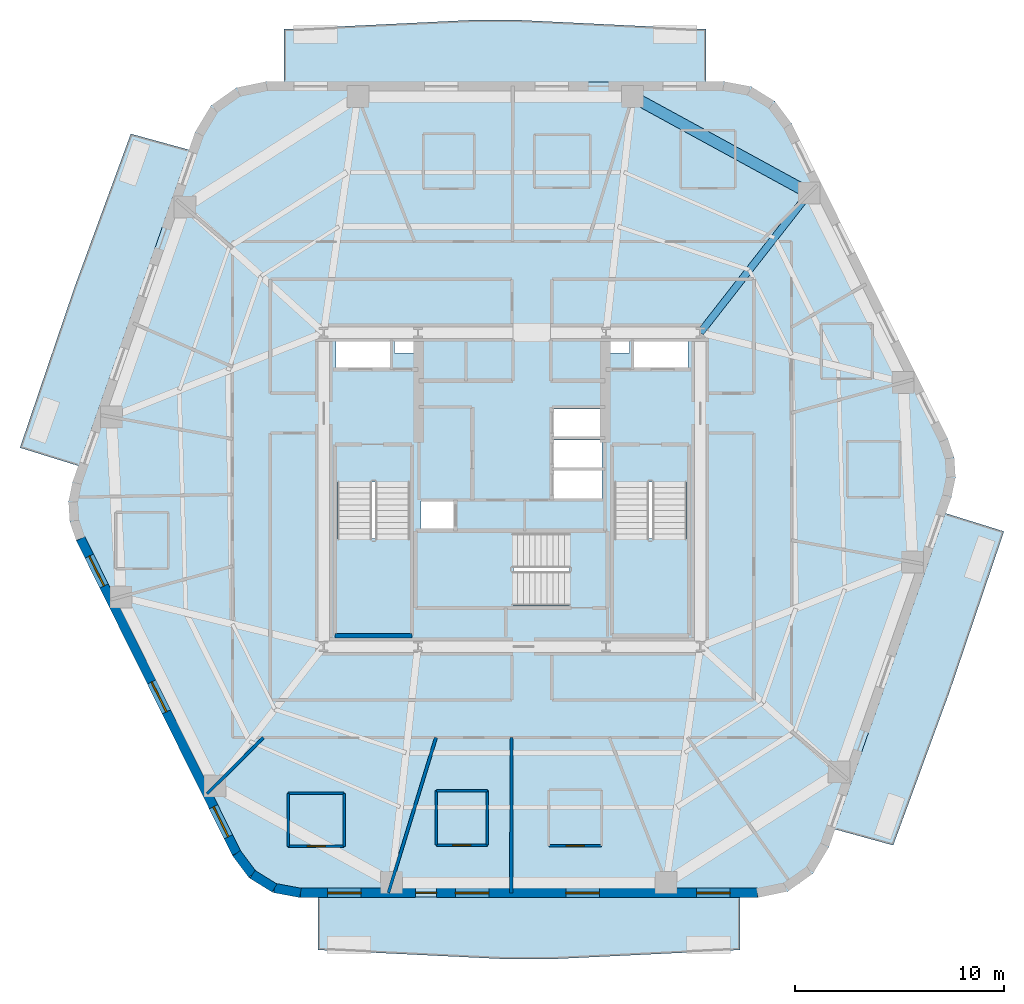
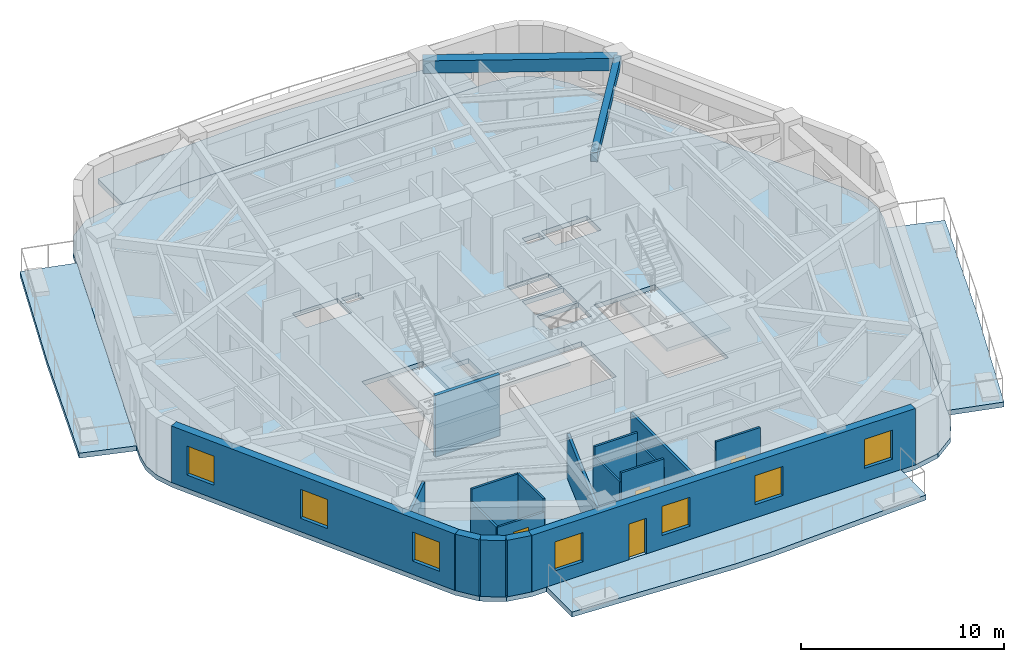
# One storey, part 2 of 11: 18 walls, 8 slabs, 7 windows, 4 doors, 2 beams, 11 openings, 3 elements without a shape of their own.
"""IFC4 building model written with IfcOpenShell, lengths in metres."""

import ifcopenshell
import ifcopenshell.guid

model = None  # the IFC model being written
_history = None  # IfcOwnerHistory: only IFC2X3 demands one
_inside = {}  # id of a spatial element -> (the spatial element, [elements in it])
_under = {}  # id of a project, library or spatial element -> (it, [spatial elements below it])
_declared = {}  # id of a project -> (the project, [libraries it declares])
_typed = {}  # id of a type object -> (the type object, [elements of that type])
_made_of = {}  # id of a material, layer set ... -> (it, [elements and type objects made of it])


def new_model(schema):
    """Start an empty IFC model of exactly this schema.

    Asked for "IFC4X3", IfcOpenShell would pick the latest addendum, in which some entities
    have other attributes; the version numbers below select the first issue.
    IFC2X3 requires an IfcOwnerHistory on every rooted entity: one is made here for all.
    """
    global model, _history
    if schema == "IFC4X3":
        model = ifcopenshell.file(schema_version=(4, 3, 0, 0))
    else:
        model = ifcopenshell.file(schema=schema)
    _inside.clear()
    _under.clear()
    _declared.clear()
    _typed.clear()
    _made_of.clear()
    _history = None
    if model.schema == "IFC2X3":
        org = make("IfcOrganization", Name="unknown")
        user = make(
            "IfcPersonAndOrganization",
            ThePerson=make("IfcPerson", FamilyName="unknown"),
            TheOrganization=org,
        )
        app = make(
            "IfcApplication",
            ApplicationDeveloper=org,
            Version="unknown",
            ApplicationFullName="unknown",
            ApplicationIdentifier="unknown",
        )
        _history = make(
            "IfcOwnerHistory",
            OwningUser=user,
            OwningApplication=app,
            ChangeAction="ADDED",
            CreationDate=0,
        )
    return model


def make(cls, **values):
    """One entity of the class cls with the attributes given. An attribute that is None is left unset."""
    return model.create_entity(
        cls, **{name: value for name, value in values.items() if value is not None}
    )


def rooted(cls, **values):
    """An entity with a GlobalId (a new one), such as an element, a storey or a relation."""
    return make(cls, GlobalId=ifcopenshell.guid.new(), OwnerHistory=_history, **values)


def si_unit(unit_type, name, prefix=None):
    """IfcSIUnit, for example si_unit("LENGTHUNIT", "METRE", prefix="MILLI")."""
    return make("IfcSIUnit", UnitType=unit_type, Prefix=prefix, Name=name)


def assignment(units):
    """IfcUnitAssignment: the units of a project."""
    return None if units is None else make("IfcUnitAssignment", Units=units)


def point(xyz):
    """IfcCartesianPoint."""
    return None if xyz is None else make("IfcCartesianPoint", Coordinates=xyz)


def direction(xyz):
    """IfcDirection."""
    return None if xyz is None else make("IfcDirection", DirectionRatios=xyz)


def frame(location, z_axis=None, x_axis=None):
    """IfcAxis2Placement3D, a coordinate frame: its origin and axes. An axis left out is left unset."""
    return make(
        "IfcAxis2Placement3D",
        Location=point(location),
        Axis=direction(z_axis),
        RefDirection=direction(x_axis),
    )


def frame_2d(location, x_axis=None):
    """IfcAxis2Placement2D, a coordinate frame in the plane: its origin and x axis."""
    return make(
        "IfcAxis2Placement2D", Location=point(location), RefDirection=direction(x_axis)
    )


def origin():
    """The frame at (0, 0, 0) with its axes left unset."""
    return frame((0.0, 0.0, 0.0))


def origin_2d():
    """The frame at (0, 0) in the plane with its x axis left unset."""
    return frame_2d((0.0, 0.0))


def place(relative_to, where):
    """IfcLocalPlacement: puts the frame where relative to a parent placement (None: the world)."""
    return make(
        "IfcLocalPlacement", PlacementRelTo=relative_to, RelativePlacement=where
    )


def context(
    kind, dimensions, precision=None, world=None, true_north=None, identifier=None
):
    """IfcGeometricRepresentationContext, for example the 3D "Model" context."""
    return make(
        "IfcGeometricRepresentationContext",
        ContextIdentifier=identifier,
        ContextType=kind,
        CoordinateSpaceDimension=dimensions,
        Precision=precision,
        WorldCoordinateSystem=world,
        TrueNorth=true_north,
    )


def subcontext(parent, identifier, kind, view, scale=None):
    """IfcGeometricRepresentationSubContext, for example "Body" below "Model"."""
    return make(
        "IfcGeometricRepresentationSubContext",
        ContextIdentifier=identifier,
        ContextType=kind,
        ParentContext=parent,
        TargetScale=scale,
        TargetView=view,
    )


def project(units=None, contexts=None):
    """IfcProject with its units and contexts."""
    return rooted(
        "IfcProject",
        Name="project",
        RepresentationContexts=contexts,
        UnitsInContext=assignment(units),
    )


def spatial(cls, under=None, at=None, **own):
    """A site, building, storey or space (cls), placed at a placement, below another one or the project."""
    s = rooted(cls, ObjectPlacement=at, **own)
    if under is not None:
        _under.setdefault(under.id(), (under, []))[1].append(s)
    return s


def polyline(points):
    """IfcPolyline through the points."""
    return make("IfcPolyline", Points=[point(p) for p in points])


def profile(cls, at=None, kind="AREA", **sizes):
    """A parametric profile (cls). Its sizes go by their IFC names, for example OverallWidth=200.0."""
    return make(cls, ProfileType=kind, Position=at, **sizes)


def rectangle(**sizes):
    """IfcRectangleProfileDef."""
    return profile("IfcRectangleProfileDef", **sizes)


def outline(outer, holes=None, kind="AREA"):
    """IfcArbitraryClosedProfileDef: a profile drawn as a closed curve; with holes, ...WithVoids."""
    if holes is None:
        return make("IfcArbitraryClosedProfileDef", ProfileType=kind, OuterCurve=outer)
    return make(
        "IfcArbitraryProfileDefWithVoids",
        ProfileType=kind,
        OuterCurve=outer,
        InnerCurves=holes,
    )


def extrude(swept, where, along, depth):
    """IfcExtrudedAreaSolid: the profile swept, set in the frame where, extruded along a direction by depth."""
    return make(
        "IfcExtrudedAreaSolid",
        SweptArea=swept,
        Position=where,
        ExtrudedDirection=direction(along),
        Depth=depth,
    )


def shape(context_of_items, identifier, shape_type, items):
    """IfcShapeRepresentation: the items that make up one representation, for example the "Body"."""
    return make(
        "IfcShapeRepresentation",
        ContextOfItems=context_of_items,
        RepresentationIdentifier=identifier,
        RepresentationType=shape_type,
        Items=items,
    )


def material(Name=None, Category=None):
    """IfcMaterial."""
    return make("IfcMaterial", Name=Name, Category=Category)


def layer(
    of_material, thickness, ventilated=None, Name=None, Category=None, Priority=None
):
    """IfcMaterialLayer: one layer of a wall or slab, of a material (None: an air gap)."""
    return make(
        "IfcMaterialLayer",
        Material=of_material,
        LayerThickness=thickness,
        IsVentilated=ventilated,
        Name=Name,
        Category=Category,
        Priority=Priority,
    )


def layer_set(layers, Name=None):
    """IfcMaterialLayerSet."""
    return make("IfcMaterialLayerSet", MaterialLayers=layers, LayerSetName=Name)


def material_profile(
    of_material, cross_section, Name=None, Category=None, Priority=None
):
    """IfcMaterialProfile: a cross section and its material."""
    return make(
        "IfcMaterialProfile",
        Name=Name,
        Material=of_material,
        Profile=cross_section,
        Priority=Priority,
        Category=Category,
    )


def profile_set(profiles, Name=None, composite=None):
    """IfcMaterialProfileSet."""
    return make(
        "IfcMaterialProfileSet",
        Name=Name,
        MaterialProfiles=profiles,
        CompositeProfile=composite,
    )


def made_of(thing, what):
    """Note that an element or type object is made of a material, layer set ...; save() writes the relation."""
    if what is not None:
        _made_of.setdefault(what.id(), (what, []))[1].append(thing)
    return thing


def type_object(cls, material=None, **own):
    """A type object (cls), such as IfcWallType, which elements share."""
    return made_of(rooted(cls, **own), material)


def element(
    cls,
    number,
    at=None,
    inside=None,
    cuts=None,
    type_object=None,
    material=None,
    context=None,
    identifier="Body",
    shape_type=None,
    held_by="IfcProductDefinitionShape",
    body=None,
    shapes=None,
    **own,
):
    """One element of the class cls, such as IfcWall. Its Tag is "e" and its number.

    at: its placement. inside: the storey or other place that contains it. cuts: it is an
    opening in that element (IfcRelVoidsElement). A single representation is given by context,
    identifier, shape_type and body (its items); several are given by shapes. held_by: the class
    of the entity that holds the representations. save() writes the other relations.
    """
    e = rooted(cls, Tag="e%d" % number, ObjectPlacement=at, **own)
    if body is not None:
        shapes = [shape(context, identifier, shape_type, body)]
    if shapes is not None:
        e.Representation = make(held_by, Representations=shapes)
    if inside is not None:
        _inside.setdefault(inside.id(), (inside, []))[1].append(e)
    if cuts is not None:
        rooted(
            "IfcRelVoidsElement", RelatingBuildingElement=cuts, RelatedOpeningElement=e
        )
    if type_object is not None:
        _typed.setdefault(type_object.id(), (type_object, []))[1].append(e)
    return made_of(e, material)


def fill(opening, filler):
    """IfcRelFillsElement: the door or window that sits in an opening."""
    return rooted(
        "IfcRelFillsElement",
        RelatingOpeningElement=opening,
        RelatedBuildingElement=filler,
    )


def aggregate(whole, parts):
    """IfcRelAggregates: a whole, such as a stair, and the parts it consists of."""
    return rooted("IfcRelAggregates", RelatingObject=whole, RelatedObjects=parts)


def save(model, path):
    """Write the relations noted so far, then the file.

    IfcRelAggregates (storeys below a building ...), IfcRelContainedInSpatialStructure (elements
    in a storey), IfcRelDefinesByType, IfcRelAssociatesMaterial and IfcRelDeclares: one each for
    every whole, place, type object, material and project.
    """
    for whole, parts in _under.values():
        aggregate(whole, parts)
    for where, things in _inside.values():
        rooted(
            "IfcRelContainedInSpatialStructure",
            RelatedElements=things,
            RelatingStructure=where,
        )
    for kind, things in _typed.values():
        rooted("IfcRelDefinesByType", RelatedObjects=things, RelatingType=kind)
    for what, things in _made_of.values():
        rooted("IfcRelAssociatesMaterial", RelatedObjects=things, RelatingMaterial=what)
    for by, libraries in _declared.values():
        rooted("IfcRelDeclares", RelatingContext=by, RelatedDefinitions=libraries)
    model.write(path)


model = new_model("IFC4")

# Units and contexts
model_context = context("Model", 3, precision=1e-05, world=origin(), true_north=direction((0.0, 1.0)))
body_context = subcontext(model_context, "Body", "Model", "MODEL_VIEW")
ifc_project = project(units=[si_unit("LENGTHUNIT", "METRE"), si_unit("AREAUNIT", "SQUARE_METRE"), si_unit("VOLUMEUNIT", "CUBIC_METRE"), si_unit("PLANEANGLEUNIT", "RADIAN"), si_unit("MASSUNIT", "GRAM", prefix="KILO")], contexts=[model_context])

# Site, building, storey
site_placement = place(None, origin())
site = spatial("IfcSite", under=ifc_project, at=site_placement, CompositionType="ELEMENT")
building_placement = place(site_placement, origin())
building = spatial("IfcBuilding", under=site, at=building_placement, Name="Kilnhurst Terrace Hotel", CompositionType="ELEMENT")
storey_placement = place(building_placement, frame((0.0, 0.0, 159.10009765625)))
storey = spatial("IfcBuildingStorey", under=building, at=storey_placement, Name="L39", CompositionType="ELEMENT", Elevation=159.10009765625)

# Beams
ifc_material_1 = material(Name="Concrete C50/60", Category="concrete")
ifc_material_profile_1 = material_profile(ifc_material_1, rectangle(XDim=0.35009765625, YDim=0.550048828125, at=origin_2d()), Name="RC350X550")
ifc_profile_set_1 = profile_set([ifc_material_profile_1], Name="Concrete C50/60")
beam_type_1 = type_object("IfcBeamType", Name="BM-RAD-350X550", PredefinedType="BEAM", material=ifc_profile_set_1)
beam_1_placement = place(storey_placement, frame((9.0, 7.5, 3.125), z_axis=(0.615370616457, 0.78823791104, 0.0), x_axis=(-0.78823791104, 0.615370616457, 0.0)))
element("IfcBeam", 1, at=beam_1_placement, inside=storey, type_object=beam_type_1, Name="L39 Radial Floor Beam 6", PredefinedType="BEAM", context=body_context, shape_type="SweptSolid", body=[
    extrude(rectangle(XDim=0.35009765625, YDim=0.550048828125, at=origin_2d()), origin(), (0.0, 0.0, 1.0), 8.456787109375),
])
ifc_material_profile_2 = material_profile(ifc_material_1, rectangle(XDim=0.550048828125, YDim=0.75, at=origin_2d()), Name="RC550X750")
ifc_profile_set_2 = profile_set([ifc_material_profile_2], Name="Concrete C50/60")
beam_type_2 = type_object("IfcBeamType", Name="BM-SPN-550X750", PredefinedType="SPANDREL", material=ifc_profile_set_2)
beam_2_placement = place(storey_placement, frame((14.2041015625, 14.166015625, 3.02490234375), z_axis=(-0.87766189723, 0.479280287672, 0.0), x_axis=(-0.479280287672, -0.87766189723, 0.0)))
element("IfcBeam", 2, at=beam_2_placement, inside=storey, type_object=beam_type_2, Name="L39 Perimeter Spandrel Beam 6", PredefinedType="SPANDREL", context=body_context, shape_type="SweptSolid", body=[
    extrude(rectangle(XDim=0.550048828125, YDim=0.75, at=origin_2d()), origin(), (0.0, 0.0, 1.0), 9.626953125),
])

# Slabs
ifc_layer_1 = layer(ifc_material_1, 0.300048828125, Name="Concrete C50/60")
ifc_layer_set_1 = layer_set([ifc_layer_1], Name="Concrete C50/60")
slab_type_1 = type_object("IfcSlabType", Name="SLB-BAL-300", PredefinedType="FLOOR", material=ifc_layer_set_1)
slab_1_placement = place(storey_placement, frame((0.0, 0.0, -0.300048828125)))
element("IfcSlab", 3, at=slab_1_placement, inside=storey, type_object=slab_type_1, Name="L39 Cantilevered Planted Terrace Slab BAL-L1A", PredefinedType="FLOOR", context=body_context, shape_type="SweptSolid", body=[
    extrude(outline(polyline([(1.83642578125, -22.43994140625), (-0.221923828125, -22.43994140625), (-9.279296875, -22.0), (-9.279296875, -19.47998046875), (10.8935546875, -19.47998046875), (10.8935546875, -22.0), (1.83642578125, -22.43994140625)])), origin(), (0.0, 0.0, 1.0), 0.300048828125),
])
slab_2_placement = place(storey_placement, frame((0.0, 0.0, -0.300048828125)))
element("IfcSlab", 4, at=slab_2_placement, inside=storey, type_object=slab_type_1, Name="L39 Cantilevered Planted Terrace Slab BAL-L1B", PredefinedType="FLOOR", context=body_context, shape_type="SweptSolid", body=[
    extrude(outline(polyline([(18.216064453125, -17.0), (15.420654296875, -16.2314453125), (20.708251953125, -1.128662109375), (23.511962890625, -2.0), (20.892333984375, -9.7119140625), (18.216064453125, -17.0)])), origin(), (0.0, 0.0, 1.0), 0.300048828125),
])
slab_3_placement = place(storey_placement, frame((0.0, 0.0, -0.300048828125)))
element("IfcSlab", 5, at=slab_3_placement, inside=storey, type_object=slab_type_1, Name="L39 Cantilevered Planted Terrace Slab BAL-L2A", PredefinedType="FLOOR", context=body_context, shape_type="SweptSolid", body=[
    extrude(outline(polyline([(0.221923828125, 22.43994140625), (9.279296875, 22.0), (9.279296875, 19.47998046875), (-10.8935546875, 19.47998046875), (-10.8935546875, 22.0), (-1.83642578125, 22.43994140625), (0.221923828125, 22.43994140625)])), origin(), (0.0, 0.0, 1.0), 0.300048828125),
])
slab_4_placement = place(storey_placement, frame((0.0, 0.0, -0.300048828125)))
element("IfcSlab", 6, at=slab_4_placement, inside=storey, type_object=slab_type_1, Name="L39 Cantilevered Planted Terrace Slab BAL-L2B", PredefinedType="FLOOR", context=body_context, shape_type="SweptSolid", body=[
    extrude(outline(polyline([(-18.216064453125, 17.0), (-15.420654296875, 16.2314453125), (-20.708251953125, 1.128662109375), (-23.511962890625, 2.0), (-20.892333984375, 9.7119140625), (-18.216064453125, 17.0)])), origin(), (0.0, 0.0, 1.0), 0.300048828125),
])
ifc_layer_2 = layer(ifc_material_1, 0.280029296875, Name="Concrete C50/60")
ifc_layer_set_2 = layer_set([ifc_layer_2], Name="Concrete C50/60")
slab_type_2 = type_object("IfcSlabType", Name="SLB-FLR-280", PredefinedType="FLOOR", material=ifc_layer_set_2)
slab_5_placement = place(storey_placement, frame((0.0, 0.0, -0.280029296875)))
element("IfcSlab", 7, at=slab_5_placement, inside=storey, type_object=slab_type_2, Name="L39 Structural Floor Slab", PredefinedType="FLOOR", context=body_context, shape_type="SweptSolid", body=[
    extrude(outline(polyline([(-13.3544921875, -17.499267578125), (-12.5576171875, -18.5576171875), (-11.431640625, -19.256103515625), (-10.12939453125, -19.5), (11.74365234375, -19.5), (13.18310546875, -19.19970703125), (14.38232421875, -18.348876953125), (15.141357421875, -17.089599609375), (20.9990234375, -0.3583984375), (21.192138671875, 0.57568359375), (21.13330078125, 1.527587890625), (20.82666015625, 2.4306640625), (13.3544921875, 17.499267578125), (12.5576171875, 18.5576171875), (11.431640625, 19.256103515625), (10.12939453125, 19.5), (-11.74365234375, 19.5), (-13.18310546875, 19.19970703125), (-14.38232421875, 18.348876953125), (-15.141357421875, 17.089599609375), (-20.9990234375, 0.3583984375), (-21.192138671875, -0.57568359375), (-21.13330078125, -1.527587890625), (-20.82666015625, -2.4306640625), (-13.3544921875, -17.499267578125)]), holes=[polyline([(2.7548828125, -2.080078125), (2.7548828125, -5.550048828125), (-4.5, -5.550048828125), (-4.5, -2.080078125), (2.7548828125, -2.080078125)]), polyline([(-8.35009765625, 0.35498046875), (-4.8798828125, 0.35498046875), (-4.8798828125, -6.89990234375), (-8.35009765625, -6.89990234375), (-8.35009765625, 0.35498046875)]), polyline([(-2.800048828125, -1.89990234375), (-4.35009765625, -1.89990234375), (-4.35009765625, -0.550048828125), (-2.800048828125, -0.550048828125), (-2.800048828125, -1.89990234375)]), polyline([(1.949951171875, -0.429931640625), (1.949951171875, 0.89990234375), (4.300048828125, 0.89990234375), (4.300048828125, -0.429931640625), (1.949951171875, -0.429931640625)]), polyline([(-8.39990234375, 5.75), (-8.39990234375, 7.14990234375), (-5.800048828125, 7.14990234375), (-5.800048828125, 5.75), (-8.39990234375, 5.75)]), polyline([(-4.659912109375, 6.52001953125), (-5.6201171875, 6.52001953125), (-5.6201171875, 7.080078125), (-4.659912109375, 7.080078125), (-4.659912109375, 6.52001953125)]), polyline([(8.35009765625, 0.35498046875), (8.35009765625, -6.89990234375), (4.8798828125, -6.89990234375), (4.8798828125, 0.35498046875), (8.35009765625, 0.35498046875)]), polyline([(1.949951171875, 1.050048828125), (1.949951171875, 2.3798828125), (4.300048828125, 2.3798828125), (4.300048828125, 1.050048828125), (1.949951171875, 1.050048828125)]), polyline([(4.300048828125, 2.530029296875), (1.949951171875, 2.530029296875), (1.949951171875, 3.860107421875), (4.300048828125, 3.860107421875), (4.300048828125, 2.530029296875)]), polyline([(5.800048828125, 5.75), (5.800048828125, 7.14990234375), (8.39990234375, 7.14990234375), (8.39990234375, 5.75), (5.800048828125, 5.75)]), polyline([(4.659912109375, 6.52001953125), (4.659912109375, 7.080078125), (5.6201171875, 7.080078125), (5.6201171875, 6.52001953125), (4.659912109375, 6.52001953125)])]), origin(), (0.0, 0.0, 1.0), 0.280029296875),
])

# Stair, slab
stair_type = type_object("IfcStairType", Name="STR-CORE-1660", PredefinedType="HALF_TURN_STAIR", material=ifc_material_1)
stair_1_placement = place(storey_placement, origin())
stair_1 = element("IfcStair", 8, at=stair_1_placement, inside=storey, type_object=stair_type, Name="L39 ST-1", PredefinedType="HALF_TURN_STAIR")
ifc_layer_3 = layer(ifc_material_1, 0.199951171875, Name="Concrete C50/60")
ifc_layer_set_3 = layer_set([ifc_layer_3], Name="Concrete C50/60")
slab_type_3 = type_object("IfcSlabType", Name="SLB-ST-LND-200", PredefinedType="LANDING", material=ifc_layer_set_3)
slab_6_placement = place(storey_placement, frame((0.0, 0.0, 1.64990234375)))
slab_6 = element("IfcSlab", 9, at=slab_6_placement, type_object=slab_type_3, Name="ST-1 landing 1", PredefinedType="LANDING", context=body_context, shape_type="SweptSolid", body=[
    extrude(outline(polyline([(-8.429931640625, -2.330078125), (-4.800048828125, -2.330078125), (-4.800048828125, -6.97998046875), (-8.429931640625, -6.97998046875), (-8.429931640625, -2.330078125)])), origin(), (0.0, 0.0, 1.0), 0.199951171875),
])
aggregate(stair_1, [slab_6])

stair_2_placement = place(storey_placement, origin())
stair_2 = element("IfcStair", 10, at=stair_2_placement, inside=storey, type_object=stair_type, Name="L39 ST-2", PredefinedType="HALF_TURN_STAIR")
slab_7_placement = place(storey_placement, frame((0.0, 0.0, 1.64990234375)))
slab_7 = element("IfcSlab", 11, at=slab_7_placement, type_object=slab_type_3, Name="ST-2 landing 1", PredefinedType="LANDING", context=body_context, shape_type="SweptSolid", body=[
    extrude(outline(polyline([(4.800048828125, -2.330078125), (8.429931640625, -2.330078125), (8.429931640625, -6.97998046875), (4.800048828125, -6.97998046875), (4.800048828125, -2.330078125)])), origin(), (0.0, 0.0, 1.0), 0.199951171875),
])
aggregate(stair_2, [slab_7])

stair_3_placement = place(storey_placement, origin())
stair_3 = element("IfcStair", 12, at=stair_3_placement, inside=storey, type_object=stair_type, Name="L39 ST-3", PredefinedType="HALF_TURN_STAIR")
slab_8_placement = place(storey_placement, frame((0.0, 0.0, 1.64990234375)))
slab_8 = element("IfcSlab", 13, at=slab_8_placement, type_object=slab_type_3, Name="ST-3 landing 1", PredefinedType="LANDING", context=body_context, shape_type="SweptSolid", body=[
    extrude(outline(polyline([(0.070068359375, -2.0), (0.070068359375, -5.6298828125), (-4.580078125, -5.6298828125), (-4.580078125, -2.0), (0.070068359375, -2.0)])), origin(), (0.0, 0.0, 1.0), 0.199951171875),
])
aggregate(stair_3, [slab_8])

# Walls
ifc_material_2 = material(Name="Precast concrete C40/50", Category="concrete")
ifc_layer_4 = layer(ifc_material_2, 0.449951171875, Name="Precast concrete C40/50")
ifc_layer_set_4 = layer_set([ifc_layer_4], Name="Precast concrete C40/50")
wall_type_1 = type_object("IfcWallType", Name="WL-BRK-450", PredefinedType="SOLIDWALL", material=ifc_layer_set_4)
wall_1_placement = place(storey_placement, frame((-13.162353515625, -17.380615234375, 0.0), z_axis=(0.0, 0.0, 1.0), x_axis=(0.601515770517, -0.798860925205, 0.0)))
element("IfcWall", 14, at=wall_1_placement, inside=storey, type_object=wall_type_1, Name="L39 Rounded Corner Brick Wall C1.1", PredefinedType="SOLIDWALL", context=body_context, shape_type="SweptSolid", body=[
    extrude(rectangle(XDim=1.261962890625, YDim=0.449951171875, at=frame_2d((0.630859375, 0.0))), origin(), (0.0, 0.0, 1.0), 3.39990234375),
])
wall_2_placement = place(storey_placement, frame((-12.4033203125, -18.388671875, 0.0), z_axis=(0.0, 0.0, 1.0), x_axis=(0.849795170926, -0.527113049991, 0.0)))
element("IfcWall", 15, at=wall_2_placement, inside=storey, type_object=wall_type_1, Name="L39 Rounded Corner Brick Wall C1.2", PredefinedType="SOLIDWALL", context=body_context, shape_type="SweptSolid", body=[
    extrude(rectangle(XDim=1.24072265625, YDim=0.449951171875, at=frame_2d((0.620361328125, 0.0))), origin(), (0.0, 0.0, 1.0), 3.39990234375),
])
wall_3_placement = place(storey_placement, frame((-11.348876953125, -19.042724609375, 0.0), z_axis=(0.0, 0.0, 1.0), x_axis=(0.982931267051, -0.183973161772, 0.0)))
element("IfcWall", 16, at=wall_3_placement, inside=storey, type_object=wall_type_1, Name="L39 Rounded Corner Brick Wall C1.3", PredefinedType="SOLIDWALL", context=body_context, shape_type="SweptSolid", body=[
    extrude(rectangle(XDim=1.261962890625, YDim=0.449951171875, at=frame_2d((0.630859375, 0.0))), origin(), (0.0, 0.0, 1.0), 3.39990234375),
])

# Wall, openings, door, windows
wall_4_placement = place(storey_placement, frame((-10.1083984375, -19.27490234375, 0.0), z_axis=(0.0, 0.0, 1.0), x_axis=(1.0, 0.0, 0.0)))
wall_4 = element("IfcWall", 17, at=wall_4_placement, inside=storey, type_object=wall_type_1, Name="L39 Exterior Brick Facade Wall F1", PredefinedType="SOLIDWALL", context=body_context, shape_type="SweptSolid", body=[
    extrude(rectangle(XDim=21.828857421875, YDim=0.449951171875, at=frame_2d((10.91455078125, 0.0))), origin(), (0.0, 0.0, 1.0), 3.39990234375),
])
opening_1_placement = place(wall_4_placement, frame((5.5029296875, 0.0, 0.0)))
opening_1 = element("IfcOpeningElement", 18, at=opening_1_placement, cuts=wall_4, Name="Opening BD-1000", PredefinedType="OPENING", context=body_context, shape_type="SweptSolid", body=[
    extrude(rectangle(XDim=1.0, YDim=2.14990234375, at=frame_2d((0.5, 1.074951171875))), frame((0.0, 0.23486328125, 0.0), z_axis=(0.0, -1.0, 0.0), x_axis=(1.0, 0.0, 0.0)), (0.0, 0.0, 1.0), 0.469970703125),
])
opening_2_placement = place(wall_4_placement, frame((1.297119140625, 0.0, 0.800048828125)))
opening_2 = element("IfcOpeningElement", 19, at=opening_2_placement, cuts=wall_4, Name="Opening W-05", PredefinedType="OPENING", context=body_context, shape_type="SweptSolid", body=[
    extrude(rectangle(XDim=1.60009765625, YDim=1.75, at=frame_2d((0.800048828125, 0.875))), frame((0.0, 0.23486328125, 0.0), z_axis=(0.0, -1.0, 0.0), x_axis=(1.0, 0.0, 0.0)), (0.0, 0.0, 1.0), 0.469970703125),
])
opening_3_placement = place(wall_4_placement, frame((7.402099609375, 0.0, 0.800048828125)))
opening_3 = element("IfcOpeningElement", 20, at=opening_3_placement, cuts=wall_4, Name="Opening W-05", PredefinedType="OPENING", context=body_context, shape_type="SweptSolid", body=[
    extrude(rectangle(XDim=1.60009765625, YDim=1.75, at=frame_2d((0.800048828125, 0.875))), frame((0.0, 0.23486328125, 0.0), z_axis=(0.0, -1.0, 0.0), x_axis=(1.0, 0.0, 0.0)), (0.0, 0.0, 1.0), 0.469970703125),
])
opening_4_placement = place(wall_4_placement, frame((12.68408203125, 0.0, 0.800048828125)))
opening_4 = element("IfcOpeningElement", 21, at=opening_4_placement, cuts=wall_4, Name="Opening W-05", PredefinedType="OPENING", context=body_context, shape_type="SweptSolid", body=[
    extrude(rectangle(XDim=1.60009765625, YDim=1.75, at=frame_2d((0.800048828125, 0.875))), frame((0.0, 0.23486328125, 0.0), z_axis=(0.0, -1.0, 0.0), x_axis=(1.0, 0.0, 0.0)), (0.0, 0.0, 1.0), 0.469970703125),
])
opening_5_placement = place(wall_4_placement, frame((18.93310546875, 0.0, 0.800048828125)))
opening_5 = element("IfcOpeningElement", 22, at=opening_5_placement, cuts=wall_4, Name="Opening W-05", PredefinedType="OPENING", context=body_context, shape_type="SweptSolid", body=[
    extrude(rectangle(XDim=1.60009765625, YDim=1.75, at=frame_2d((0.800048828125, 0.875))), frame((0.0, 0.23486328125, 0.0), z_axis=(0.0, -1.0, 0.0), x_axis=(1.0, 0.0, 0.0)), (0.0, 0.0, 1.0), 0.469970703125),
])
ifc_material_3 = material(Name="Thermally Broken Bronze Aluminium Alloy 6063-T6 and Laminated Glass", Category="aluminium")
door_type_1 = type_object("IfcDoorType", Name="DR-EXT-BAL-1000", OperationType="NOTDEFINED", PredefinedType="DOOR", material=ifc_material_3)
door_1_placement = place(opening_1_placement, origin())
door_1 = element("IfcDoor", 23, at=door_1_placement, inside=storey, type_object=door_type_1, Name="L39 Planted Balcony Door BAL-L1A", OperationType="SINGLE_SWING_LEFT", OverallHeight=2.14990234375, OverallWidth=1.0, PredefinedType="DOOR", context=body_context, shape_type="SweptSolid", body=[
    extrude(rectangle(XDim=1.0, YDim=2.14990234375, at=frame_2d((0.5, 1.074951171875))), frame((0.0, 0.02490234375, 0.0), z_axis=(0.0, -1.0, 0.0), x_axis=(1.0, 0.0, 0.0)), (0.0, 0.0, 1.0), 0.050048828125),
])
fill(opening_1, door_1)
ifc_material_4 = material(Name="Thermally Broken Bronze Aluminium Alloy 6063-T6 and Low-E Glass", Category="aluminium")
window_type = type_object("IfcWindowType", Name="WIN-1600X1750", PartitioningType="SINGLE_PANEL", PredefinedType="WINDOW", material=ifc_material_4)
window_1_placement = place(opening_2_placement, origin())
window_1 = element("IfcWindow", 24, at=window_1_placement, inside=storey, type_object=window_type, Name="L39 Deep-Set Masonry Window F1.1", OverallHeight=1.75, OverallWidth=1.60009765625, PartitioningType="SINGLE_PANEL", PredefinedType="WINDOW", context=body_context, shape_type="SweptSolid", body=[
    extrude(rectangle(XDim=1.60009765625, YDim=1.75, at=frame_2d((0.800048828125, 0.875))), frame((0.0, 0.030029296875, 0.0), z_axis=(0.0, -1.0, 0.0), x_axis=(1.0, 0.0, 0.0)), (0.0, 0.0, 1.0), 0.06005859375),
])
fill(opening_2, window_1)
window_2_placement = place(opening_3_placement, origin())
window_2 = element("IfcWindow", 25, at=window_2_placement, inside=storey, type_object=window_type, Name="L39 Deep-Set Masonry Window F1.2", OverallHeight=1.75, OverallWidth=1.60009765625, PartitioningType="SINGLE_PANEL", PredefinedType="WINDOW", context=body_context, shape_type="SweptSolid", body=[
    extrude(rectangle(XDim=1.60009765625, YDim=1.75, at=frame_2d((0.800048828125, 0.875))), frame((0.0, 0.030029296875, 0.0), z_axis=(0.0, -1.0, 0.0), x_axis=(1.0, 0.0, 0.0)), (0.0, 0.0, 1.0), 0.06005859375),
])
fill(opening_3, window_2)
window_3_placement = place(opening_4_placement, origin())
window_3 = element("IfcWindow", 26, at=window_3_placement, inside=storey, type_object=window_type, Name="L39 Deep-Set Masonry Window F1.3", OverallHeight=1.75, OverallWidth=1.60009765625, PartitioningType="SINGLE_PANEL", PredefinedType="WINDOW", context=body_context, shape_type="SweptSolid", body=[
    extrude(rectangle(XDim=1.60009765625, YDim=1.75, at=frame_2d((0.800048828125, 0.875))), frame((0.0, 0.030029296875, 0.0), z_axis=(0.0, -1.0, 0.0), x_axis=(1.0, 0.0, 0.0)), (0.0, 0.0, 1.0), 0.06005859375),
])
fill(opening_4, window_3)
window_4_placement = place(opening_5_placement, origin())
window_4 = element("IfcWindow", 27, at=window_4_placement, inside=storey, type_object=window_type, Name="L39 Deep-Set Masonry Window F1.4", OverallHeight=1.75, OverallWidth=1.60009765625, PartitioningType="SINGLE_PANEL", PredefinedType="WINDOW", context=body_context, shape_type="SweptSolid", body=[
    extrude(rectangle(XDim=1.60009765625, YDim=1.75, at=frame_2d((0.800048828125, 0.875))), frame((0.0, 0.030029296875, 0.0), z_axis=(0.0, -1.0, 0.0), x_axis=(1.0, 0.0, 0.0)), (0.0, 0.0, 1.0), 0.06005859375),
])
fill(opening_5, window_4)

# Wall, openings, windows
wall_5_placement = place(storey_placement, frame((-20.618408203125, -2.343994140625, 0.0), z_axis=(0.0, 0.0, 1.0), x_axis=(0.444243691097, -0.895905990002, 0.0)))
wall_5 = element("IfcWall", 28, at=wall_5_placement, inside=storey, type_object=wall_type_1, Name="L39 Exterior Brick Facade Wall F6", PredefinedType="SOLIDWALL", context=body_context, shape_type="SweptSolid", body=[
    extrude(rectangle(XDim=16.78369140625, YDim=0.449951171875, at=frame_2d((8.391845703125, 0.0))), origin(), (0.0, 0.0, 1.0), 3.39990234375),
])
opening_6_placement = place(wall_5_placement, frame((0.930908203125, 0.0, 0.800048828125)))
opening_6 = element("IfcOpeningElement", 29, at=opening_6_placement, cuts=wall_5, Name="Opening W-05", PredefinedType="OPENING", context=body_context, shape_type="SweptSolid", body=[
    extrude(rectangle(XDim=1.60009765625, YDim=1.75, at=frame_2d((0.800048828125, 0.875))), frame((0.0, 0.23486328125, 0.0), z_axis=(0.0, -1.0, 0.0), x_axis=(1.0, 0.0, 0.0)), (0.0, 0.0, 1.0), 0.469970703125),
])
opening_7_placement = place(wall_5_placement, frame((7.64208984375, 0.0, 0.800048828125)))
opening_7 = element("IfcOpeningElement", 30, at=opening_7_placement, cuts=wall_5, Name="Opening W-05", PredefinedType="OPENING", context=body_context, shape_type="SweptSolid", body=[
    extrude(rectangle(XDim=1.60009765625, YDim=1.75, at=frame_2d((0.800048828125, 0.875))), frame((0.0, 0.23486328125, 0.0), z_axis=(0.0, -1.0, 0.0), x_axis=(1.0, 0.0, 0.0)), (0.0, 0.0, 1.0), 0.469970703125),
])
opening_8_placement = place(wall_5_placement, frame((14.302978515625, 0.0, 0.800048828125)))
opening_8 = element("IfcOpeningElement", 31, at=opening_8_placement, cuts=wall_5, Name="Opening W-05", PredefinedType="OPENING", context=body_context, shape_type="SweptSolid", body=[
    extrude(rectangle(XDim=1.60009765625, YDim=1.75, at=frame_2d((0.800048828125, 0.875))), frame((0.0, 0.23486328125, 0.0), z_axis=(0.0, -1.0, 0.0), x_axis=(1.0, 0.0, 0.0)), (0.0, 0.0, 1.0), 0.469970703125),
])
window_5_placement = place(opening_6_placement, origin())
window_5 = element("IfcWindow", 32, at=window_5_placement, inside=storey, type_object=window_type, Name="L39 Deep-Set Masonry Window F6.1", OverallHeight=1.75, OverallWidth=1.60009765625, PartitioningType="SINGLE_PANEL", PredefinedType="WINDOW", context=body_context, shape_type="SweptSolid", body=[
    extrude(rectangle(XDim=1.60009765625, YDim=1.75, at=frame_2d((0.800048828125, 0.875))), frame((0.0, 0.030029296875, 0.0), z_axis=(0.0, -1.0, 0.0), x_axis=(1.0, 0.0, 0.0)), (0.0, 0.0, 1.0), 0.06005859375),
])
fill(opening_6, window_5)
window_6_placement = place(opening_7_placement, origin())
window_6 = element("IfcWindow", 33, at=window_6_placement, inside=storey, type_object=window_type, Name="L39 Deep-Set Masonry Window F6.2", OverallHeight=1.75, OverallWidth=1.60009765625, PartitioningType="SINGLE_PANEL", PredefinedType="WINDOW", context=body_context, shape_type="SweptSolid", body=[
    extrude(rectangle(XDim=1.60009765625, YDim=1.75, at=frame_2d((0.800048828125, 0.875))), frame((0.0, 0.030029296875, 0.0), z_axis=(0.0, -1.0, 0.0), x_axis=(1.0, 0.0, 0.0)), (0.0, 0.0, 1.0), 0.06005859375),
])
fill(opening_7, window_6)
window_7_placement = place(opening_8_placement, origin())
window_7 = element("IfcWindow", 34, at=window_7_placement, inside=storey, type_object=window_type, Name="L39 Deep-Set Masonry Window F6.3", OverallHeight=1.75, OverallWidth=1.60009765625, PartitioningType="SINGLE_PANEL", PredefinedType="WINDOW", context=body_context, shape_type="SweptSolid", body=[
    extrude(rectangle(XDim=1.60009765625, YDim=1.75, at=frame_2d((0.800048828125, 0.875))), frame((0.0, 0.030029296875, 0.0), z_axis=(0.0, -1.0, 0.0), x_axis=(1.0, 0.0, 0.0)), (0.0, 0.0, 1.0), 0.06005859375),
])
fill(opening_8, window_7)

# Walls
ifc_material_5 = material(Name="STC-58 Acoustic Twin-Frame Guestroom Demising Partition")
ifc_layer_5 = layer(ifc_material_5, 0.14990234375, Name="STC-58 Acoustic Twin-Frame Guestroom Demising Partition")
ifc_layer_set_5 = layer_set([ifc_layer_5], Name="STC-58 Acoustic Twin-Frame Guestroom Demising Partition")
wall_type_2 = type_object("IfcWallType", Name="WL-DEM-150", PredefinedType="PARTITIONING", material=ifc_layer_set_5)
wall_6_placement = place(storey_placement, frame((-11.8818359375, -11.85009765625, 0.0), z_axis=(0.0, 0.0, 1.0), x_axis=(-0.708037373639, -0.706174962407, 0.0)))
element("IfcWall", 35, at=wall_6_placement, inside=storey, type_object=wall_type_2, Name="L39 Interior Wall WL-L39-DEM-COL08-12-1", PredefinedType="PARTITIONING", context=body_context, shape_type="SweptSolid", body=[
    extrude(rectangle(XDim=3.801513671875, YDim=0.14990234375, at=frame_2d((1.90087890625, 0.0))), origin(), (0.0, 0.0, 1.0), 2.639892578125),
])
wall_7_placement = place(storey_placement, frame((-3.63134765625, -11.85009765625, 0.0), z_axis=(0.0, 0.0, 1.0), x_axis=(-0.293007573338, -0.956110120209, 0.0)))
element("IfcWall", 36, at=wall_7_placement, inside=storey, type_object=wall_type_2, Name="L39 Interior Wall WL-L39-DEM-COL09-13-1", PredefinedType="PARTITIONING", context=body_context, shape_type="SweptSolid", body=[
    extrude(rectangle(XDim=7.765625, YDim=0.14990234375, at=frame_2d((3.8828125, 0.0))), origin(), (0.0, 0.0, 1.0), 2.639892578125),
])
wall_8_placement = place(storey_placement, frame((-0.023681640625, -11.85009765625, 0.0), z_axis=(0.0, 0.0, 1.0), x_axis=(-0.001972901592, -0.999998053828, 0.0)))
element("IfcWall", 37, at=wall_8_placement, inside=storey, type_object=wall_type_2, Name="L39 Interior Wall WL-L39-DEM-MID09-14-1", PredefinedType="PARTITIONING", context=body_context, shape_type="SweptSolid", body=[
    extrude(rectangle(XDim=7.4248046875, YDim=0.14990234375, at=frame_2d((3.71240234375, 0.0))), origin(), (0.0, 0.0, 1.0), 2.639892578125),
])

# Wall, opening, door
ifc_material_6 = material(Name="120 mm Moisture-Resistant Tile-Backed Bathroom Partition")
ifc_layer_6 = layer(ifc_material_6, 0.1201171875, Name="120 mm Moisture-Resistant Tile-Backed Bathroom Partition")
ifc_layer_set_6 = layer_set([ifc_layer_6], Name="120 mm Moisture-Resistant Tile-Backed Bathroom Partition")
wall_type_3 = type_object("IfcWallType", Name="WL-PART-120", PredefinedType="PARTITIONING", material=ifc_layer_set_6)
wall_9_placement = place(storey_placement, frame((-10.697998046875, -17.055908203125, 0.0), z_axis=(0.0, 0.0, 1.0), x_axis=(1.0, 0.0, 0.0)))
wall_9 = element("IfcWall", 38, at=wall_9_placement, inside=storey, type_object=wall_type_3, Name="L39 Interior Wall WL-L39-BTH-12-1", PredefinedType="PARTITIONING", context=body_context, shape_type="SweptSolid", body=[
    extrude(rectangle(XDim=2.679931640625, YDim=0.1201171875, at=frame_2d((1.33984375, 0.0))), origin(), (0.0, 0.0, 1.0), 2.639892578125),
])
opening_9_placement = place(wall_9_placement, frame((0.9150390625, 0.0, 0.0)))
opening_9 = element("IfcOpeningElement", 39, at=opening_9_placement, cuts=wall_9, Name="Opening D-08A", PredefinedType="OPENING", context=body_context, shape_type="SweptSolid", body=[
    extrude(rectangle(XDim=0.85009765625, YDim=2.030029296875, at=frame_2d((0.425048828125, 1.01513671875))), frame((0.0, 0.070068359375, 0.0), z_axis=(0.0, -1.0, 0.0), x_axis=(1.0, 0.0, 0.0)), (0.0, 0.0, 1.0), 0.14013671875),
])
ifc_material_7 = material(Name="Moisture-Resistant Lacquered En-suite Bathroom Door")
door_type_2 = type_object("IfcDoorType", Name="DR-INT-850", OperationType="NOTDEFINED", PredefinedType="DOOR", material=ifc_material_7)
door_2_placement = place(opening_9_placement, origin())
door_2 = element("IfcDoor", 40, at=door_2_placement, inside=storey, type_object=door_type_2, Name="L39 En-suite Bathroom Door 12", OperationType="SINGLE_SWING_LEFT", OverallHeight=2.030029296875, OverallWidth=0.85009765625, PredefinedType="DOOR", context=body_context, shape_type="SweptSolid", body=[
    extrude(rectangle(XDim=0.85009765625, YDim=2.030029296875, at=frame_2d((0.425048828125, 1.01513671875))), frame((0.0, 0.02490234375, 0.0), z_axis=(0.0, -1.0, 0.0), x_axis=(1.0, 0.0, 0.0)), (0.0, 0.0, 1.0), 0.050048828125),
])
fill(opening_9, door_2)

# Walls
wall_10_placement = place(storey_placement, frame((-8.01806640625, -17.055908203125, 0.0), z_axis=(0.0, 0.0, 1.0), x_axis=(0.0, 1.0, 0.0)))
element("IfcWall", 41, at=wall_10_placement, inside=storey, type_object=wall_type_3, Name="L39 Interior Wall WL-L39-BTH-12-2", PredefinedType="PARTITIONING", context=body_context, shape_type="SweptSolid", body=[
    extrude(rectangle(XDim=2.539794921875, YDim=0.1201171875, at=frame_2d((1.27001953125, 0.0))), origin(), (0.0, 0.0, 1.0), 3.39990234375),
])
wall_11_placement = place(storey_placement, frame((-8.01806640625, -14.51611328125, 0.0), z_axis=(0.0, 0.0, 1.0), x_axis=(-1.0, 0.0, 0.0)))
element("IfcWall", 42, at=wall_11_placement, inside=storey, type_object=wall_type_3, Name="L39 Interior Wall WL-L39-BTH-12-3", PredefinedType="PARTITIONING", context=body_context, shape_type="SweptSolid", body=[
    extrude(rectangle(XDim=2.679931640625, YDim=0.1201171875, at=frame_2d((1.33984375, 0.0))), origin(), (0.0, 0.0, 1.0), 3.39990234375),
])
wall_12_placement = place(storey_placement, frame((-10.697998046875, -14.51611328125, 0.0), z_axis=(0.0, 0.0, 1.0), x_axis=(0.0, -1.0, 0.0)))
element("IfcWall", 43, at=wall_12_placement, inside=storey, type_object=wall_type_3, Name="L39 Interior Wall WL-L39-BTH-12-4", PredefinedType="PARTITIONING", context=body_context, shape_type="SweptSolid", body=[
    extrude(rectangle(XDim=2.539794921875, YDim=0.1201171875, at=frame_2d((1.27001953125, 0.0))), origin(), (0.0, 0.0, 1.0), 2.639892578125),
])

# Wall, opening, door
wall_13_placement = place(storey_placement, frame((-3.614990234375, -16.992919921875, 0.0), z_axis=(0.0, 0.0, 1.0), x_axis=(1.0, 0.0, 0.0)))
wall_13 = element("IfcWall", 44, at=wall_13_placement, inside=storey, type_object=wall_type_3, Name="L39 Interior Wall WL-L39-BTH-13-1", PredefinedType="PARTITIONING", context=body_context, shape_type="SweptSolid", body=[
    extrude(rectangle(XDim=2.43994140625, YDim=0.1201171875, at=frame_2d((1.219970703125, 0.0))), origin(), (0.0, 0.0, 1.0), 3.39990234375),
])
opening_10_placement = place(wall_13_placement, frame((0.794921875, 0.0, 0.0)))
opening_10 = element("IfcOpeningElement", 45, at=opening_10_placement, cuts=wall_13, Name="Opening D-08A", PredefinedType="OPENING", context=body_context, shape_type="SweptSolid", body=[
    extrude(rectangle(XDim=0.85009765625, YDim=2.030029296875, at=frame_2d((0.425048828125, 1.01513671875))), frame((0.0, 0.070068359375, 0.0), z_axis=(0.0, -1.0, 0.0), x_axis=(1.0, 0.0, 0.0)), (0.0, 0.0, 1.0), 0.14013671875),
])
door_3_placement = place(opening_10_placement, origin())
door_3 = element("IfcDoor", 46, at=door_3_placement, inside=storey, type_object=door_type_2, Name="L39 En-suite Bathroom Door 13", OperationType="SINGLE_SWING_RIGHT", OverallHeight=2.030029296875, OverallWidth=0.85009765625, PredefinedType="DOOR", context=body_context, shape_type="SweptSolid", body=[
    extrude(rectangle(XDim=0.85009765625, YDim=2.030029296875, at=frame_2d((0.425048828125, 1.01513671875))), frame((0.0, 0.02490234375, 0.0), z_axis=(0.0, -1.0, 0.0), x_axis=(1.0, 0.0, 0.0)), (0.0, 0.0, 1.0), 0.050048828125),
])
fill(opening_10, door_3)

# Walls
wall_14_placement = place(storey_placement, frame((-1.175048828125, -16.992919921875, 0.0), z_axis=(0.0, 0.0, 1.0), x_axis=(0.0, 1.0, 0.0)))
element("IfcWall", 47, at=wall_14_placement, inside=storey, type_object=wall_type_3, Name="L39 Interior Wall WL-L39-BTH-13-2", PredefinedType="PARTITIONING", context=body_context, shape_type="SweptSolid", body=[
    extrude(rectangle(XDim=2.60986328125, YDim=0.1201171875, at=frame_2d((1.304931640625, 0.0))), origin(), (0.0, 0.0, 1.0), 2.84033203125),
])
wall_15_placement = place(storey_placement, frame((-1.175048828125, -14.383056640625, 0.0), z_axis=(0.0, 0.0, 1.0), x_axis=(-1.0, 0.0, 0.0)))
element("IfcWall", 48, at=wall_15_placement, inside=storey, type_object=wall_type_3, Name="L39 Interior Wall WL-L39-BTH-13-3", PredefinedType="PARTITIONING", context=body_context, shape_type="SweptSolid", body=[
    extrude(rectangle(XDim=2.43994140625, YDim=0.1201171875, at=frame_2d((1.219970703125, 0.0))), origin(), (0.0, 0.0, 1.0), 3.39990234375),
])
wall_16_placement = place(storey_placement, frame((-3.614990234375, -14.383056640625, 0.0), z_axis=(0.0, 0.0, 1.0), x_axis=(0.0, -1.0, 0.0)))
element("IfcWall", 49, at=wall_16_placement, inside=storey, type_object=wall_type_3, Name="L39 Interior Wall WL-L39-BTH-13-4", PredefinedType="PARTITIONING", context=body_context, shape_type="SweptSolid", body=[
    extrude(rectangle(XDim=2.60986328125, YDim=0.1201171875, at=frame_2d((1.304931640625, 0.0))), origin(), (0.0, 0.0, 1.0), 2.84033203125),
])

# Wall, opening, door
wall_17_placement = place(storey_placement, frame((1.762939453125, -17.028076171875, 0.0), z_axis=(0.0, 0.0, 1.0), x_axis=(1.0, 0.0, 0.0)))
wall_17 = element("IfcWall", 50, at=wall_17_placement, inside=storey, type_object=wall_type_3, Name="L39 Interior Wall WL-L39-BTH-14-1", PredefinedType="PARTITIONING", context=body_context, shape_type="SweptSolid", body=[
    extrude(rectangle(XDim=2.52001953125, YDim=0.1201171875, at=frame_2d((1.260009765625, 0.0))), origin(), (0.0, 0.0, 1.0), 3.39990234375),
])
opening_11_placement = place(wall_17_placement, frame((0.8349609375, 0.0, 0.0)))
opening_11 = element("IfcOpeningElement", 51, at=opening_11_placement, cuts=wall_17, Name="Opening D-08A", PredefinedType="OPENING", context=body_context, shape_type="SweptSolid", body=[
    extrude(rectangle(XDim=0.85009765625, YDim=2.030029296875, at=frame_2d((0.425048828125, 1.01513671875))), frame((0.0, 0.070068359375, 0.0), z_axis=(0.0, -1.0, 0.0), x_axis=(1.0, 0.0, 0.0)), (0.0, 0.0, 1.0), 0.14013671875),
])
door_4_placement = place(opening_11_placement, origin())
door_4 = element("IfcDoor", 52, at=door_4_placement, inside=storey, type_object=door_type_2, Name="L39 En-suite Bathroom Door 14", OperationType="SINGLE_SWING_LEFT", OverallHeight=2.030029296875, OverallWidth=0.85009765625, PredefinedType="DOOR", context=body_context, shape_type="SweptSolid", body=[
    extrude(rectangle(XDim=0.85009765625, YDim=2.030029296875, at=frame_2d((0.425048828125, 1.01513671875))), frame((0.0, 0.02490234375, 0.0), z_axis=(0.0, -1.0, 0.0), x_axis=(1.0, 0.0, 0.0)), (0.0, 0.0, 1.0), 0.050048828125),
])
fill(opening_11, door_4)

# Wall
ifc_layer_7 = layer(ifc_material_1, 0.199951171875, Name="Concrete C50/60")
ifc_layer_set_7 = layer_set([ifc_layer_7], Name="Concrete C50/60")
wall_type_4 = type_object("IfcWallType", Name="WL-STAIR-RC-200", PredefinedType="SHEAR", material=ifc_layer_set_7)
wall_18_placement = place(storey_placement, frame((-8.4580078125, -6.985107421875, 0.0), z_axis=(0.0, 0.0, 1.0), x_axis=(1.0, 0.0, 0.0)))
element("IfcWall", 53, at=wall_18_placement, inside=storey, type_object=wall_type_4, Name="L39 Structural Stair Shaft Wall WL-L39-ST1-S", PredefinedType="SHEAR", context=body_context, shape_type="SweptSolid", body=[
    extrude(rectangle(XDim=3.68603515625, YDim=0.199951171875, at=frame_2d((1.843017578125, 0.0))), origin(), (0.0, 0.0, 1.0), 3.699951171875),
])

save(model, "model.ifc")
